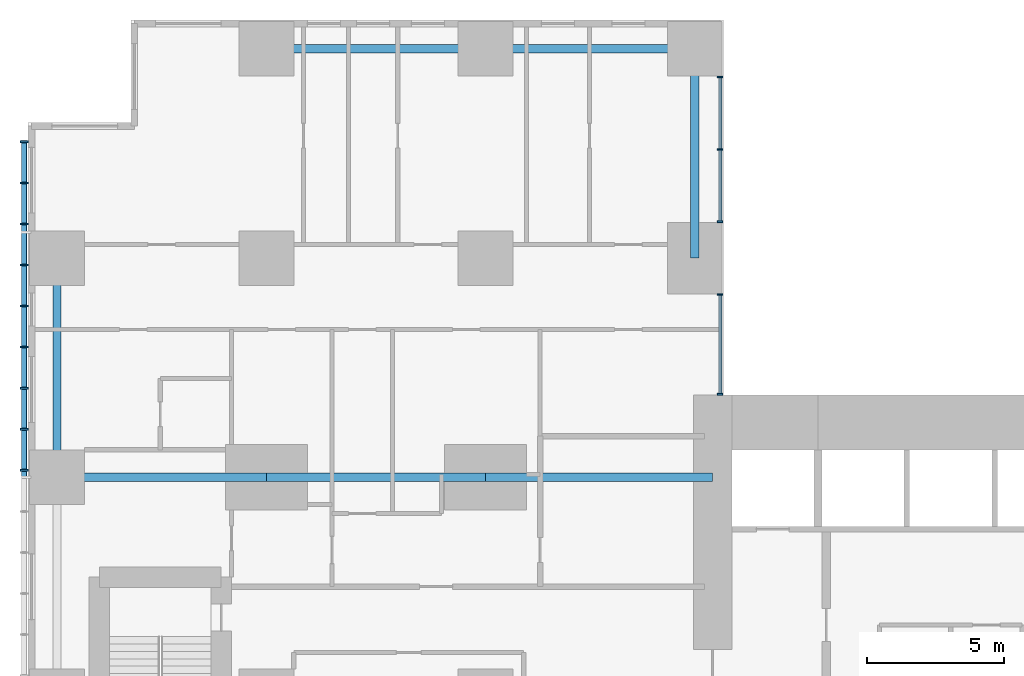
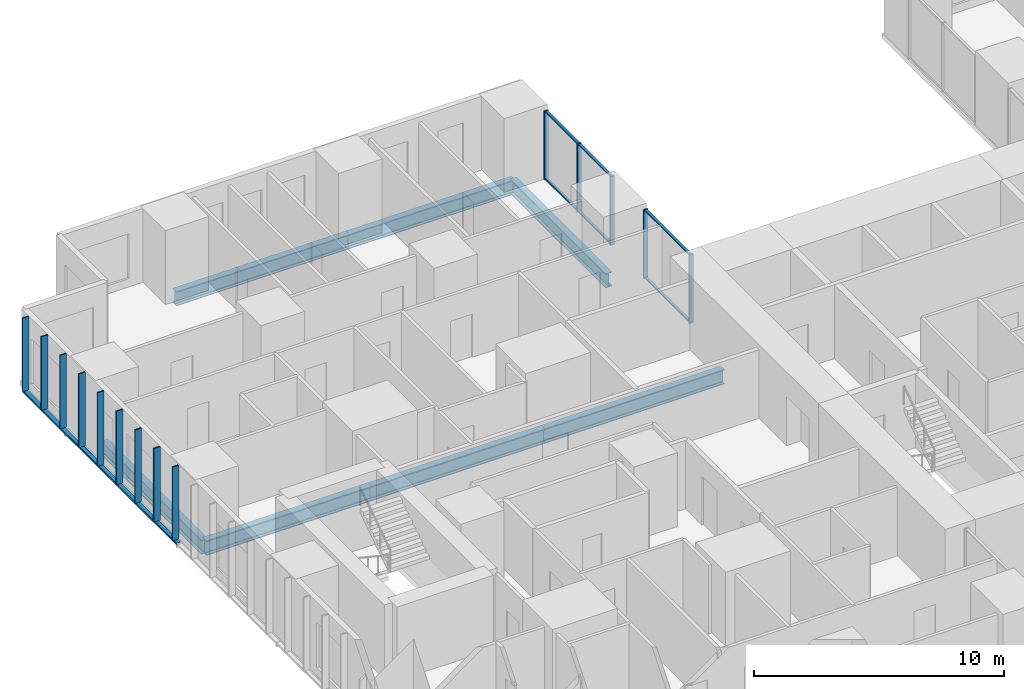
# One storey, part 4 of 21: 21 members, 7 beams, 2 elements without a shape of their own.
"""IFC4 building model written with IfcOpenShell, lengths in metres."""

from ifc_helpers import new_model, si_unit, direction, frame, origin, origin_2d, place, context, subcontext, project, spatial, rectangle, hollow_rectangle, i_section, extrude, material, layer, layer_set, material_profile, profile_set, type_object, element, aggregate, save


model = new_model("IFC4")

# Units and contexts
model_context = context("Model", 3, precision=1e-05, world=origin(), true_north=direction((0.0, 1.0)))
body_context = subcontext(model_context, "Body", "Model", "MODEL_VIEW")
ifc_project = project(units=[si_unit("LENGTHUNIT", "METRE"), si_unit("AREAUNIT", "SQUARE_METRE"), si_unit("VOLUMEUNIT", "CUBIC_METRE"), si_unit("PLANEANGLEUNIT", "RADIAN"), si_unit("MASSUNIT", "GRAM", prefix="KILO")], contexts=[model_context])

# Site, building, storey
site_placement = place(None, origin())
site = spatial("IfcSite", under=ifc_project, at=site_placement, CompositionType="ELEMENT")
building_placement = place(site_placement, origin())
building = spatial("IfcBuilding", under=site, at=building_placement, Name="Cleftline Residences", CompositionType="ELEMENT")
storey_placement = place(building_placement, frame((0.0, 0.0, 161.0)))
storey = spatial("IfcBuildingStorey", under=building, at=storey_placement, Name="L42", CompositionType="ELEMENT", Elevation=161.0)

# Member
ifc_material_1 = material(Name="Steel S355, hot-dip galvanised", Category="steel")
ifc_material_profile_1 = material_profile(ifc_material_1, hollow_rectangle(XDim=0.10009765625, YDim=0.199951171875, WallThickness=0.008056640625, InnerFilletRadius=0.008056640625, OuterFilletRadius=0.011962890625, at=origin_2d()))
ifc_profile_set_1 = profile_set([ifc_material_profile_1], Name="Steel S355, hot-dip galvanised")
member_type_1 = type_object("IfcMemberType", Name="BAGUETTE CARRIER RHS 200X100X8", PredefinedType="USERDEFINED", material=ifc_profile_set_1)
member_1_placement = place(storey_placement, frame((-0.85009765625, 44.300048828125, -0.050048828125), z_axis=(0.0, -1.0, 0.0), x_axis=(0.0, 0.0, 1.0)))
element("IfcMember", 1, at=member_1_placement, inside=storey, type_object=member_type_1, Name="Baguette carrier", ObjectType="BAGUETTE CARRIER", PredefinedType="USERDEFINED", context=body_context, shape_type="SweptSolid", body=[
    extrude(hollow_rectangle(XDim=0.10009765625, YDim=0.199951171875, WallThickness=0.008056640625, InnerFilletRadius=0.008056640625, OuterFilletRadius=0.011962890625, at=origin_2d()), origin(), (0.0, 0.0, 1.0), 12.300048828125),
])

# Beams
ifc_material_2 = material(Name="Steel S355", Category="steel")
ifc_material_profile_2 = material_profile(ifc_material_2, i_section(OverallWidth=0.300048828125, OverallDepth=0.699951171875, WebThickness=0.01708984375, FlangeThickness=0.031982421875, FilletRadius=0.027099609375, at=origin_2d()))
ifc_profile_set_2 = profile_set([ifc_material_profile_2], Name="Steel S355")
beam_type_1 = type_object("IfcBeamType", Name="BEAM HEB 700", PredefinedType="BEAM", material=ifc_profile_set_2)
for number, where, z_axis, x_axis, name in (
    (2, (0.35009765625, 32.0, -0.60009765625), (0.0, 1.0, 0.0), (-1.0, 0.0, 0.0), "Edge beam"),
    (3, (8.0, 47.64990234375, -0.60009765625), (1.0, 0.0, 0.0), (0.0, 1.0, 0.0), "Edge beam"),
):
    element("IfcBeam", number, at=place(storey_placement, frame(where, z_axis=z_axis, x_axis=x_axis)), inside=storey, type_object=beam_type_1, Name=name, PredefinedType="BEAM", context=body_context, shape_type="SweptSolid", body=[
        extrude(i_section(OverallWidth=0.300048828125, OverallDepth=0.699951171875, WebThickness=0.01708984375, FlangeThickness=0.031982421875, FilletRadius=0.027099609375, at=origin_2d()), origin(), (0.0, 0.0, 1.0), 8.0),
    ])
for number, where, z_axis, x_axis, name in (
    (4, (16.0, 47.64990234375, -0.60009765625), (1.0, 0.0, 0.0), (0.0, 1.0, 0.0), "Edge beam"),
    (5, (23.64990234375, 47.64990234375, -0.60009765625), (0.0, -1.0, 0.0), (1.0, 0.0, 0.0), "Edge beam"),
):
    element("IfcBeam", number, at=place(storey_placement, frame(where, z_axis=z_axis, x_axis=x_axis)), inside=storey, type_object=beam_type_1, Name=name, PredefinedType="BEAM", context=body_context, shape_type="SweptSolid", body=[
        extrude(i_section(OverallWidth=0.300048828125, OverallDepth=0.699951171875, WebThickness=0.01708984375, FlangeThickness=0.031982421875, FilletRadius=0.027099609375, at=origin_2d()), origin(), (0.0, 0.0, 1.0), 7.64990234375),
    ])
ifc_material_3 = material(Name="Steel S355", Category="steel")
ifc_material_profile_3 = material_profile(ifc_material_3, i_section(OverallWidth=0.303955078125, OverallDepth=0.716064453125, WebThickness=0.02099609375, FlangeThickness=0.0400390625, FilletRadius=0.027099609375, at=origin_2d()))
ifc_profile_set_3 = profile_set([ifc_material_profile_3], Name="Steel S355")
beam_type_2 = type_object("IfcBeamType", Name="BEAM HEM 700", PredefinedType="BEAM", material=ifc_profile_set_3)
beam_1_placement = place(storey_placement, frame((0.35009765625, 32.0, -0.60791015625), z_axis=(1.0, 0.0, 0.0), x_axis=(0.0, 1.0, 0.0)))
element("IfcBeam", 6, at=beam_1_placement, inside=storey, type_object=beam_type_2, Name="Band beam", PredefinedType="BEAM", context=body_context, shape_type="SweptSolid", body=[
    extrude(i_section(OverallWidth=0.303955078125, OverallDepth=0.716064453125, WebThickness=0.02099609375, FlangeThickness=0.0400390625, FilletRadius=0.027099609375, at=origin_2d()), origin(), (0.0, 0.0, 1.0), 7.64990234375),
])
beam_2_placement = place(storey_placement, frame((8.0, 32.0, -0.60791015625), z_axis=(1.0, 0.0, 0.0), x_axis=(0.0, 1.0, 0.0)))
element("IfcBeam", 7, at=beam_2_placement, inside=storey, type_object=beam_type_2, Name="Band beam", PredefinedType="BEAM", context=body_context, shape_type="SweptSolid", body=[
    extrude(i_section(OverallWidth=0.303955078125, OverallDepth=0.716064453125, WebThickness=0.02099609375, FlangeThickness=0.0400390625, FilletRadius=0.027099609375, at=origin_2d()), origin(), (0.0, 0.0, 1.0), 8.0),
])
beam_3_placement = place(storey_placement, frame((16.0, 32.0, -0.60791015625), z_axis=(1.0, 0.0, 0.0), x_axis=(0.0, 1.0, 0.0)))
element("IfcBeam", 8, at=beam_3_placement, inside=storey, type_object=beam_type_2, Name="Band beam", PredefinedType="BEAM", context=body_context, shape_type="SweptSolid", body=[
    extrude(i_section(OverallWidth=0.303955078125, OverallDepth=0.716064453125, WebThickness=0.02099609375, FlangeThickness=0.0400390625, FilletRadius=0.027099609375, at=origin_2d()), origin(), (0.0, 0.0, 1.0), 8.300048828125),
])

# Curtain wall, members
ifc_material_4 = material(Name="Aluminium framed curtain wall", Category="aluminium")
ifc_layer = layer(ifc_material_4, 0.199951171875)
ifc_layer_set = layer_set([ifc_layer], Name="CW1 CLEFT GLAZING")
curtain_wall_type = type_object("IfcCurtainWallType", Name="CW1 CLEFT GLAZING", PredefinedType="NOTDEFINED", material=ifc_layer_set)
curtain_wall_1_placement = place(storey_placement, origin())
curtain_wall_1 = element("IfcCurtainWall", 9, at=curtain_wall_1_placement, inside=storey, type_object=curtain_wall_type, Name="Curtain wall CW1", PredefinedType="NOTDEFINED")
ifc_material_5 = material(Name="Aluminium mullion", Category="aluminium")
ifc_material_profile_4 = material_profile(ifc_material_5, rectangle(XDim=0.199951171875, YDim=0.06005859375, at=origin_2d()))
ifc_profile_set_4 = profile_set([ifc_material_profile_4], Name="Aluminium mullion")
member_type_2 = type_object("IfcMemberType", Name="CW1 MULLION", PredefinedType="MULLION", material=ifc_profile_set_4)
member_2_placement = place(storey_placement, frame((24.574951171875, 35.030029296875, 0.0), z_axis=(0.0, 0.0, 1.0), x_axis=(-1.0, 0.0, 0.0)))
member_2 = element("IfcMember", 10, at=member_2_placement, type_object=member_type_2, Name="CW1 mullion 1", PredefinedType="MULLION", context=body_context, shape_type="SweptSolid", body=[
    extrude(rectangle(XDim=0.199951171875, YDim=0.06005859375, at=origin_2d()), origin(), (0.0, 0.0, 1.0), 3.35009765625),
])
member_3_placement = place(storey_placement, frame((24.574951171875, 38.669921875, 0.0), z_axis=(0.0, 0.0, 1.0), x_axis=(-1.0, 0.0, 0.0)))
member_3 = element("IfcMember", 11, at=member_3_placement, type_object=member_type_2, Name="CW1 mullion 2", PredefinedType="MULLION", context=body_context, shape_type="SweptSolid", body=[
    extrude(rectangle(XDim=0.199951171875, YDim=0.06005859375, at=origin_2d()), origin(), (0.0, 0.0, 1.0), 3.35009765625),
])

curtain_wall_2_placement = place(storey_placement, origin())
curtain_wall_2 = element("IfcCurtainWall", 12, at=curtain_wall_2_placement, inside=storey, type_object=curtain_wall_type, Name="Curtain wall CW1", PredefinedType="NOTDEFINED")
member_4_placement = place(storey_placement, frame((24.574951171875, 41.330078125, 0.0), z_axis=(0.0, 0.0, 1.0), x_axis=(-1.0, 0.0, 0.0)))
member_4 = element("IfcMember", 13, at=member_4_placement, type_object=member_type_2, Name="CW1 mullion 1", PredefinedType="MULLION", context=body_context, shape_type="SweptSolid", body=[
    extrude(rectangle(XDim=0.199951171875, YDim=0.06005859375, at=origin_2d()), origin(), (0.0, 0.0, 1.0), 3.35009765625),
])
member_5_placement = place(storey_placement, frame((24.574951171875, 43.97509765625, 0.0), z_axis=(0.0, 0.0, 1.0), x_axis=(-1.0, 0.0, 0.0)))
member_5 = element("IfcMember", 14, at=member_5_placement, type_object=member_type_2, Name="CW1 mullion 2", PredefinedType="MULLION", context=body_context, shape_type="SweptSolid", body=[
    extrude(rectangle(XDim=0.199951171875, YDim=0.06005859375, at=origin_2d()), origin(), (0.0, 0.0, 1.0), 3.35009765625),
])
member_6_placement = place(storey_placement, frame((24.574951171875, 46.6201171875, 0.0), z_axis=(0.0, 0.0, 1.0), x_axis=(-1.0, 0.0, 0.0)))
member_6 = element("IfcMember", 15, at=member_6_placement, type_object=member_type_2, Name="CW1 mullion 3", PredefinedType="MULLION", context=body_context, shape_type="SweptSolid", body=[
    extrude(rectangle(XDim=0.199951171875, YDim=0.06005859375, at=origin_2d()), origin(), (0.0, 0.0, 1.0), 3.35009765625),
])

# Member
ifc_material_6 = material(Name="Aluminium transom", Category="aluminium")
ifc_material_profile_5 = material_profile(ifc_material_6, rectangle(XDim=0.1201171875, YDim=0.06005859375, at=origin_2d()))
ifc_profile_set_5 = profile_set([ifc_material_profile_5], Name="Aluminium transom")
member_type_3 = type_object("IfcMemberType", Name="CW1 TRANSOM", PredefinedType="USERDEFINED", material=ifc_profile_set_5)
member_7_placement = place(storey_placement, frame((24.574951171875, 35.06005859375, 0.030029296875), z_axis=(0.0, 1.0, 0.0), x_axis=(-1.0, 0.0, 0.0)))
member_7 = element("IfcMember", 16, at=member_7_placement, type_object=member_type_3, Name="CW1 transom 1.1", ObjectType="TRANSOM", PredefinedType="USERDEFINED", context=body_context, shape_type="SweptSolid", body=[
    extrude(rectangle(XDim=0.1201171875, YDim=0.06005859375, at=origin_2d()), origin(), (0.0, 0.0, 1.0), 3.579833984375),
])

member_8_placement = place(storey_placement, frame((24.574951171875, 35.06005859375, 3.320068359375), z_axis=(0.0, 1.0, 0.0), x_axis=(-1.0, 0.0, 0.0)))
member_8 = element("IfcMember", 17, at=member_8_placement, type_object=member_type_3, Name="CW1 transom 1.2", ObjectType="TRANSOM", PredefinedType="USERDEFINED", context=body_context, shape_type="SweptSolid", body=[
    extrude(rectangle(XDim=0.1201171875, YDim=0.06005859375, at=origin_2d()), origin(), (0.0, 0.0, 1.0), 3.579833984375),
])

aggregate(curtain_wall_1, [member_2, member_3, member_7, member_8])

member_9_placement = place(storey_placement, frame((24.574951171875, 41.360107421875, 0.030029296875), z_axis=(0.0, 1.0, 0.0), x_axis=(-1.0, 0.0, 0.0)))
member_9 = element("IfcMember", 18, at=member_9_placement, type_object=member_type_3, Name="CW1 transom 1.1", ObjectType="TRANSOM", PredefinedType="USERDEFINED", context=body_context, shape_type="SweptSolid", body=[
    extrude(rectangle(XDim=0.1201171875, YDim=0.06005859375, at=origin_2d()), origin(), (0.0, 0.0, 1.0), 2.5849609375),
])

member_10_placement = place(storey_placement, frame((24.574951171875, 41.360107421875, 3.320068359375), z_axis=(0.0, 1.0, 0.0), x_axis=(-1.0, 0.0, 0.0)))
member_10 = element("IfcMember", 19, at=member_10_placement, type_object=member_type_3, Name="CW1 transom 1.2", ObjectType="TRANSOM", PredefinedType="USERDEFINED", context=body_context, shape_type="SweptSolid", body=[
    extrude(rectangle(XDim=0.1201171875, YDim=0.06005859375, at=origin_2d()), origin(), (0.0, 0.0, 1.0), 2.5849609375),
])

member_11_placement = place(storey_placement, frame((24.574951171875, 44.0048828125, 0.030029296875), z_axis=(0.0, 1.0, 0.0), x_axis=(-1.0, 0.0, 0.0)))
member_11 = element("IfcMember", 20, at=member_11_placement, type_object=member_type_3, Name="CW1 transom 2.1", ObjectType="TRANSOM", PredefinedType="USERDEFINED", context=body_context, shape_type="SweptSolid", body=[
    extrude(rectangle(XDim=0.1201171875, YDim=0.06005859375, at=origin_2d()), origin(), (0.0, 0.0, 1.0), 2.585205078125),
])

member_12_placement = place(storey_placement, frame((24.574951171875, 44.0048828125, 3.320068359375), z_axis=(0.0, 1.0, 0.0), x_axis=(-1.0, 0.0, 0.0)))
member_12 = element("IfcMember", 21, at=member_12_placement, type_object=member_type_3, Name="CW1 transom 2.2", ObjectType="TRANSOM", PredefinedType="USERDEFINED", context=body_context, shape_type="SweptSolid", body=[
    extrude(rectangle(XDim=0.1201171875, YDim=0.06005859375, at=origin_2d()), origin(), (0.0, 0.0, 1.0), 2.585205078125),
])

aggregate(curtain_wall_2, [member_4, member_5, member_6, member_9, member_10, member_11, member_12])

# Members
ifc_material_7 = material(Name="Extruded terracotta", Category="masonry")
ifc_material_profile_6 = material_profile(ifc_material_7, rectangle(XDim=0.06005859375, YDim=0.300048828125, at=origin_2d()))
ifc_profile_set_6 = profile_set([ifc_material_profile_6], Name="Extruded terracotta")
member_type_4 = type_object("IfcMemberType", Name="TERRACOTTA BAGUETTE 60X300", PredefinedType="USERDEFINED", material=ifc_profile_set_6)
for number, where, z_axis, x_axis, name in (
    (22, (-0.85009765625, 44.25, 0.0), (0.0, 0.0, 1.0), (0.0, 1.0, 0.0), "Terracotta baguette"),
    (23, (-0.85009765625, 42.75, 0.0), (0.0, 0.0, 1.0), (0.0, 1.0, 0.0), "Terracotta baguette"),
    (24, (-0.85009765625, 41.25, 0.0), (0.0, 0.0, 1.0), (0.0, 1.0, 0.0), "Terracotta baguette"),
    (25, (-0.85009765625, 39.75, 0.0), (0.0, 0.0, 1.0), (0.0, 1.0, 0.0), "Terracotta baguette"),
    (26, (-0.85009765625, 38.25, 0.0), (0.0, 0.0, 1.0), (0.0, 1.0, 0.0), "Terracotta baguette"),
    (27, (-0.85009765625, 36.75, 0.0), (0.0, 0.0, 1.0), (0.0, 1.0, 0.0), "Terracotta baguette"),
    (28, (-0.85009765625, 35.25, 0.0), (0.0, 0.0, 1.0), (0.0, 1.0, 0.0), "Terracotta baguette"),
    (29, (-0.85009765625, 33.75, 0.0), (0.0, 0.0, 1.0), (0.0, 1.0, 0.0), "Terracotta baguette"),
    (30, (-0.85009765625, 32.25, 0.0), (0.0, 0.0, 1.0), (0.0, 1.0, 0.0), "Terracotta baguette"),
):
    element("IfcMember", number, at=place(storey_placement, frame(where, z_axis=z_axis, x_axis=x_axis)), inside=storey, type_object=member_type_4, Name=name, ObjectType="BAGUETTE", PredefinedType="USERDEFINED", context=body_context, shape_type="SweptSolid", body=[
        extrude(rectangle(XDim=0.06005859375, YDim=0.300048828125, at=origin_2d()), origin(), (0.0, 0.0, 1.0), 3.60009765625),
    ])

save(model, "model.ifc")
